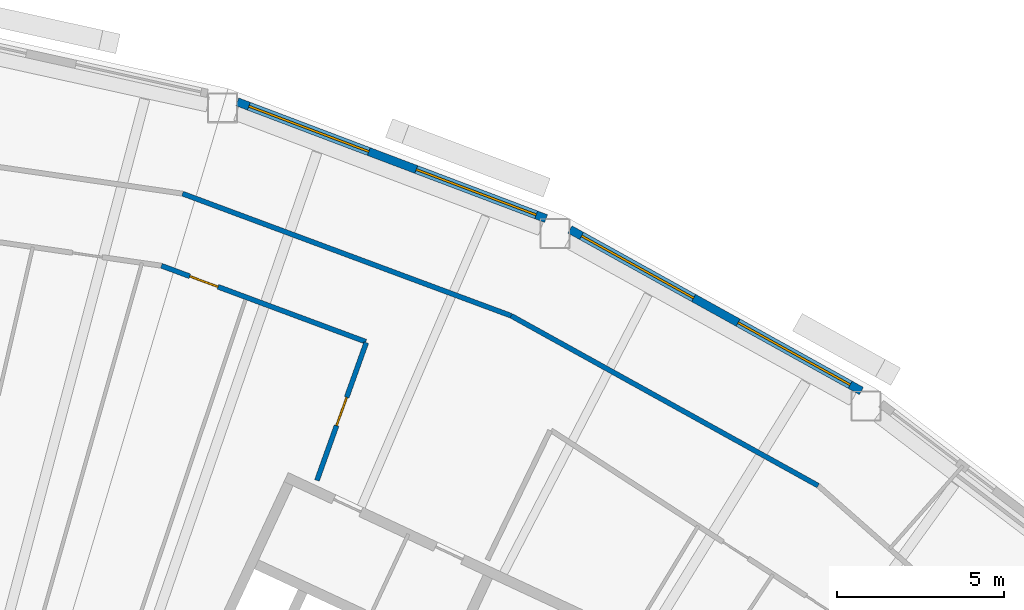
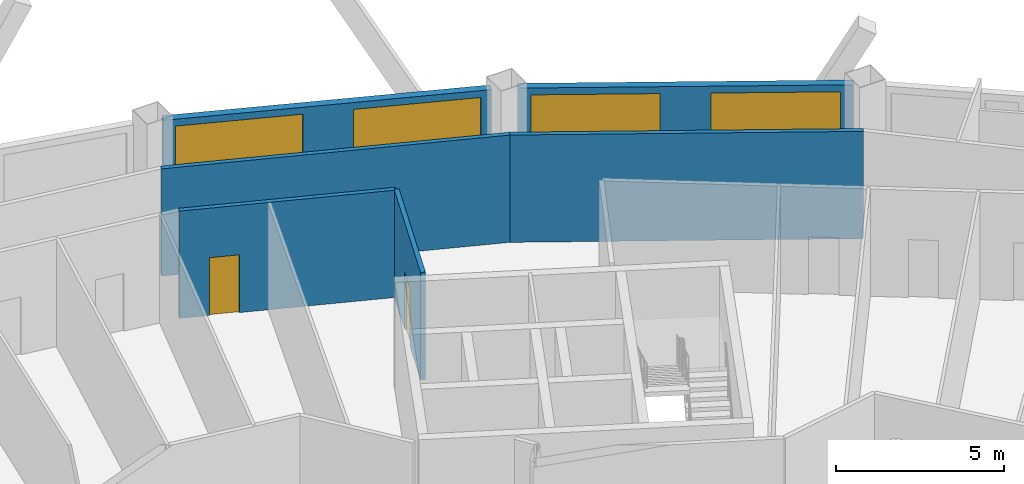
# One storey, part 12 of 15: 6 walls, 4 windows, 2 doors, 6 openings.
"""IFC4 building model written with IfcOpenShell, lengths in metres."""

from ifc_helpers import new_model, si_unit, direction, frame, frame_2d, origin, place, context, subcontext, project, spatial, rectangle, extrude, material, layer, layer_set, type_object, element, fill, save


model = new_model("IFC4")

# Units and contexts
model_context = context("Model", 3, precision=1e-05, world=origin(), true_north=direction((0.0, 1.0)))
body_context = subcontext(model_context, "Body", "Model", "MODEL_VIEW")
ifc_project = project(units=[si_unit("LENGTHUNIT", "METRE"), si_unit("AREAUNIT", "SQUARE_METRE"), si_unit("VOLUMEUNIT", "CUBIC_METRE"), si_unit("PLANEANGLEUNIT", "RADIAN"), si_unit("MASSUNIT", "GRAM", prefix="KILO")], contexts=[model_context])

# Site, building, storey
site_placement = place(None, origin())
site = spatial("IfcSite", under=ifc_project, at=site_placement, CompositionType="ELEMENT")
building_placement = place(site_placement, origin())
building = spatial("IfcBuilding", under=site, at=building_placement, Name="Tuul Gate Civic Tower", CompositionType="ELEMENT")
storey_placement = place(building_placement, frame((0.0, 0.0, 226.300048828125)))
storey = spatial("IfcBuildingStorey", under=building, at=storey_placement, Name="Level 51", CompositionType="ELEMENT", Elevation=226.300048828125)

# Walls
ifc_material_1 = material(Name="Gypsum board partition")
ifc_layer_1 = layer(ifc_material_1, 0.14990234375)
ifc_layer_set_1 = layer_set([ifc_layer_1], Name="Gypsum board partition")
wall_type_1 = type_object("IfcWallType", Name="Corridor wall P150", PredefinedType="PARTITIONING", material=ifc_layer_set_1)
wall_1_placement = place(storey_placement, frame((35.687744140625, 9.25048828125, 0.0), z_axis=(0.0, 0.0, 1.0), x_axis=(0.874959859782, -0.484195460295, 0.0)))
element("IfcWall", 1, at=wall_1_placement, inside=storey, type_object=wall_type_1, Name="p008", PredefinedType="PARTITIONING", context=body_context, shape_type="SweptSolid", body=[
    extrude(rectangle(XDim=10.530517578125, YDim=0.14990234375, at=frame_2d((5.26513671875, 0.0))), origin(), (0.0, 0.0, 1.0), 3.89990234375),
])
wall_2_placement = place(storey_placement, frame((25.821044921875, 12.917724609375, 0.0), z_axis=(0.0, 0.0, 1.0), x_axis=(0.937348896715, -0.348392086345, 0.0)))
element("IfcWall", 2, at=wall_2_placement, inside=storey, type_object=wall_type_1, Name="p009", PredefinedType="PARTITIONING", context=body_context, shape_type="SweptSolid", body=[
    extrude(rectangle(XDim=10.526123046875, YDim=0.14990234375, at=frame_2d((5.26318359375, 0.0))), origin(), (0.0, 0.0, 1.0), 3.89990234375),
])

# Wall, opening, door
wall_3_placement = place(storey_placement, frame((25.187255859375, 10.7529296875, 0.0), z_axis=(0.0, 0.0, 1.0), x_axis=(0.937347352452, -0.348396241157, 0.0)))
wall_3 = element("IfcWall", 3, at=wall_3_placement, inside=storey, type_object=wall_type_1, Name="p061", PredefinedType="PARTITIONING", context=body_context, shape_type="SweptSolid", body=[
    extrude(rectangle(XDim=6.547119140625, YDim=0.14990234375, at=frame_2d((3.2734375, 0.0))), origin(), (0.0, 0.0, 1.0), 3.89990234375),
])
opening_1_placement = place(wall_3_placement, frame((0.9091796875, 0.0, 0.0)))
opening_1 = element("IfcOpeningElement", 4, at=opening_1_placement, cuts=wall_3, Name="Opening R-D18", PredefinedType="OPENING", context=body_context, shape_type="SweptSolid", body=[
    extrude(rectangle(XDim=0.89990234375, YDim=2.10009765625, at=frame_2d((0.449951171875, 1.050048828125))), frame((0.0, 0.0849609375, 0.0), z_axis=(0.0, -1.0, 0.0), x_axis=(1.0, 0.0, 0.0)), (0.0, 0.0, 1.0), 0.169921875),
])
ifc_material_2 = material(Name="Timber door leaf", Category="wood")
door_type = type_object("IfcDoorType", Name="Door D09", OperationType="NOTDEFINED", PredefinedType="DOOR", material=ifc_material_2)
door_1_placement = place(opening_1_placement, frame((0.89990234375, 0.0, 0.0), z_axis=(0.0, 0.0, 1.0), x_axis=(-1.0, 0.0, 0.0)))
door_1 = element("IfcDoor", 5, at=door_1_placement, inside=storey, type_object=door_type, Name="Door R-D18", OperationType="SINGLE_SWING_LEFT", OverallHeight=2.10009765625, OverallWidth=0.89990234375, PredefinedType="DOOR", context=body_context, shape_type="SweptSolid", body=[
    extrude(rectangle(XDim=0.89990234375, YDim=2.10009765625, at=frame_2d((0.449951171875, 1.050048828125))), frame((0.0, 0.02490234375, 0.0), z_axis=(0.0, -1.0, 0.0), x_axis=(1.0, 0.0, 0.0)), (0.0, 0.0, 1.0), 0.050048828125),
])
fill(opening_1, door_1)

wall_4_placement = place(storey_placement, frame((29.856201171875, 4.308349609375, 0.0), z_axis=(0.0, 0.0, 1.0), x_axis=(0.336804466951, 0.941574612573, 0.0)))
wall_4 = element("IfcWall", 6, at=wall_4_placement, inside=storey, type_object=wall_type_1, Name="p062", PredefinedType="PARTITIONING", context=body_context, shape_type="SweptSolid", body=[
    extrude(rectangle(XDim=4.394287109375, YDim=0.14990234375, at=frame_2d((2.197265625, 0.0))), origin(), (0.0, 0.0, 1.0), 3.89990234375),
])
opening_2_placement = place(wall_4_placement, frame((1.747314453125, 0.0, 0.0)))
opening_2 = element("IfcOpeningElement", 7, at=opening_2_placement, cuts=wall_4, Name="Opening R-D17", PredefinedType="OPENING", context=body_context, shape_type="SweptSolid", body=[
    extrude(rectangle(XDim=0.89990234375, YDim=2.10009765625, at=frame_2d((0.449951171875, 1.050048828125))), frame((0.0, 0.0849609375, 0.0), z_axis=(0.0, -1.0, 0.0), x_axis=(1.0, 0.0, 0.0)), (0.0, 0.0, 1.0), 0.169921875),
])
door_2_placement = place(opening_2_placement, origin())
door_2 = element("IfcDoor", 8, at=door_2_placement, inside=storey, type_object=door_type, Name="Door R-D17", OperationType="SINGLE_SWING_RIGHT", OverallHeight=2.10009765625, OverallWidth=0.89990234375, PredefinedType="DOOR", context=body_context, shape_type="SweptSolid", body=[
    extrude(rectangle(XDim=0.89990234375, YDim=2.10009765625, at=frame_2d((0.449951171875, 1.050048828125))), frame((0.0, 0.02490234375, 0.0), z_axis=(0.0, -1.0, 0.0), x_axis=(1.0, 0.0, 0.0)), (0.0, 0.0, 1.0), 0.050048828125),
])
fill(opening_2, door_2)

# Wall, openings, windows
ifc_material_3 = material(Name="Precast concrete C40/50", Category="concrete")
ifc_layer_2 = layer(ifc_material_3, 0.25)
ifc_layer_set_2 = layer_set([ifc_layer_2], Name="Precast concrete C40/50")
wall_type_2 = type_object("IfcWallType", Name="External wall", PredefinedType="STANDARD", material=ifc_layer_set_2)
wall_5_placement = place(storey_placement, frame((46.201171875, 6.992919921875, 0.0), z_axis=(0.0, 0.0, 1.0), x_axis=(-0.874625464024, 0.484799234405, 0.0)))
wall_5 = element("IfcWall", 9, at=wall_5_placement, inside=storey, type_object=wall_type_2, Name="External wall", PredefinedType="STANDARD", context=body_context, shape_type="SweptSolid", body=[
    extrude(rectangle(XDim=10.00244140625, YDim=0.25, at=frame_2d((5.001220703125, 0.0))), origin(), (0.0, 0.0, 1.0), 3.449951171875),
])
opening_3_placement = place(wall_5_placement, frame((0.38671875, 0.0, 0.89990234375)))
opening_3 = element("IfcOpeningElement", 10, at=opening_3_placement, cuts=wall_5, Name="Opening W22", PredefinedType="OPENING", context=body_context, shape_type="SweptSolid", body=[
    extrude(rectangle(XDim=3.85009765625, YDim=2.300048828125, at=frame_2d((1.925048828125, 1.14990234375))), frame((0.0, 0.135009765625, 0.0), z_axis=(0.0, -1.0, 0.0), x_axis=(1.0, 0.0, 0.0)), (0.0, 0.0, 1.0), 0.27001953125),
])
opening_4_placement = place(wall_5_placement, frame((5.758056640625, 0.0, 0.89990234375)))
opening_4 = element("IfcOpeningElement", 11, at=opening_4_placement, cuts=wall_5, Name="Opening W22", PredefinedType="OPENING", context=body_context, shape_type="SweptSolid", body=[
    extrude(rectangle(XDim=3.85009765625, YDim=2.300048828125, at=frame_2d((1.925048828125, 1.14990234375))), frame((0.0, 0.135009765625, 0.0), z_axis=(0.0, -1.0, 0.0), x_axis=(1.0, 0.0, 0.0)), (0.0, 0.0, 1.0), 0.27001953125),
])
ifc_material_4 = material(Name="Glass", Category="glass")
window_type = type_object("IfcWindowType", Name="Window W22 3850 x 2300", PartitioningType="SINGLE_PANEL", PredefinedType="WINDOW", material=ifc_material_4)
window_1_placement = place(opening_3_placement, origin())
window_1 = element("IfcWindow", 12, at=window_1_placement, inside=storey, type_object=window_type, Name="Window", OverallHeight=2.300048828125, OverallWidth=3.85009765625, PartitioningType="SINGLE_PANEL", PredefinedType="WINDOW", context=body_context, shape_type="SweptSolid", body=[
    extrude(rectangle(XDim=3.85009765625, YDim=2.300048828125, at=frame_2d((1.925048828125, 1.14990234375))), frame((0.0, 0.030029296875, 0.0), z_axis=(0.0, -1.0, 0.0), x_axis=(1.0, 0.0, 0.0)), (0.0, 0.0, 1.0), 0.06005859375),
])
fill(opening_3, window_1)
window_2_placement = place(opening_4_placement, origin())
window_2 = element("IfcWindow", 13, at=window_2_placement, inside=storey, type_object=window_type, Name="Window", OverallHeight=2.300048828125, OverallWidth=3.85009765625, PartitioningType="SINGLE_PANEL", PredefinedType="WINDOW", context=body_context, shape_type="SweptSolid", body=[
    extrude(rectangle(XDim=3.85009765625, YDim=2.300048828125, at=frame_2d((1.925048828125, 1.14990234375))), frame((0.0, 0.030029296875, 0.0), z_axis=(0.0, -1.0, 0.0), x_axis=(1.0, 0.0, 0.0)), (0.0, 0.0, 1.0), 0.06005859375),
])
fill(opening_4, window_2)

wall_6_placement = place(storey_placement, frame((36.733642578125, 12.1689453125, 0.0), z_axis=(0.0, 0.0, 1.0), x_axis=(-0.935369774389, 0.353671295358, 0.0)))
wall_6 = element("IfcWall", 14, at=wall_6_placement, inside=storey, type_object=wall_type_2, Name="External wall", PredefinedType="STANDARD", context=body_context, shape_type="SweptSolid", body=[
    extrude(rectangle(XDim=9.907958984375, YDim=0.25, at=frame_2d((4.9541015625, 0.0))), origin(), (0.0, 0.0, 1.0), 3.449951171875),
])
opening_5_placement = place(wall_6_placement, frame((0.31689453125, 0.0, 0.89990234375)))
opening_5 = element("IfcOpeningElement", 15, at=opening_5_placement, cuts=wall_6, Name="Opening W22", PredefinedType="OPENING", context=body_context, shape_type="SweptSolid", body=[
    extrude(rectangle(XDim=3.85009765625, YDim=2.300048828125, at=frame_2d((1.925048828125, 1.14990234375))), frame((0.0, 0.135009765625, 0.0), z_axis=(0.0, -1.0, 0.0), x_axis=(1.0, 0.0, 0.0)), (0.0, 0.0, 1.0), 0.27001953125),
])
opening_6_placement = place(wall_6_placement, frame((5.68798828125, 0.0, 0.89990234375)))
opening_6 = element("IfcOpeningElement", 16, at=opening_6_placement, cuts=wall_6, Name="Opening W22", PredefinedType="OPENING", context=body_context, shape_type="SweptSolid", body=[
    extrude(rectangle(XDim=3.85009765625, YDim=2.300048828125, at=frame_2d((1.925048828125, 1.14990234375))), frame((0.0, 0.135009765625, 0.0), z_axis=(0.0, -1.0, 0.0), x_axis=(1.0, 0.0, 0.0)), (0.0, 0.0, 1.0), 0.27001953125),
])
window_3_placement = place(opening_5_placement, origin())
window_3 = element("IfcWindow", 17, at=window_3_placement, inside=storey, type_object=window_type, Name="Window", OverallHeight=2.300048828125, OverallWidth=3.85009765625, PartitioningType="SINGLE_PANEL", PredefinedType="WINDOW", context=body_context, shape_type="SweptSolid", body=[
    extrude(rectangle(XDim=3.85009765625, YDim=2.300048828125, at=frame_2d((1.925048828125, 1.14990234375))), frame((0.0, 0.030029296875, 0.0), z_axis=(0.0, -1.0, 0.0), x_axis=(1.0, 0.0, 0.0)), (0.0, 0.0, 1.0), 0.06005859375),
])
fill(opening_5, window_3)
window_4_placement = place(opening_6_placement, origin())
window_4 = element("IfcWindow", 18, at=window_4_placement, inside=storey, type_object=window_type, Name="Window", OverallHeight=2.300048828125, OverallWidth=3.85009765625, PartitioningType="SINGLE_PANEL", PredefinedType="WINDOW", context=body_context, shape_type="SweptSolid", body=[
    extrude(rectangle(XDim=3.85009765625, YDim=2.300048828125, at=frame_2d((1.925048828125, 1.14990234375))), frame((0.0, 0.030029296875, 0.0), z_axis=(0.0, -1.0, 0.0), x_axis=(1.0, 0.0, 0.0)), (0.0, 0.0, 1.0), 0.06005859375),
])
fill(opening_6, window_4)

save(model, "model.ifc")
